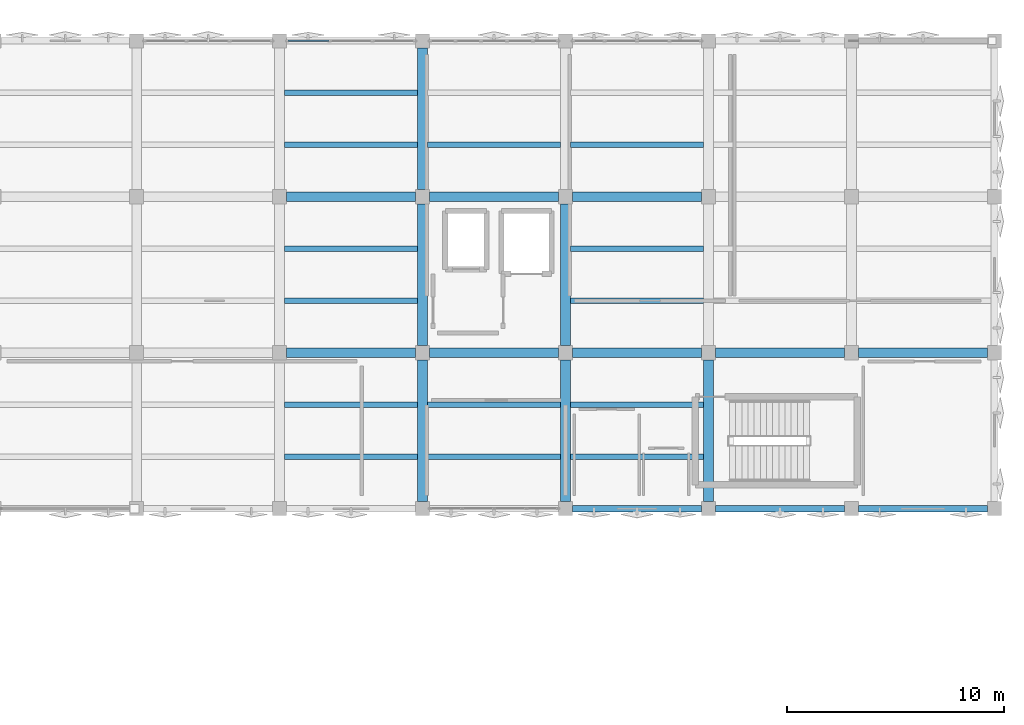
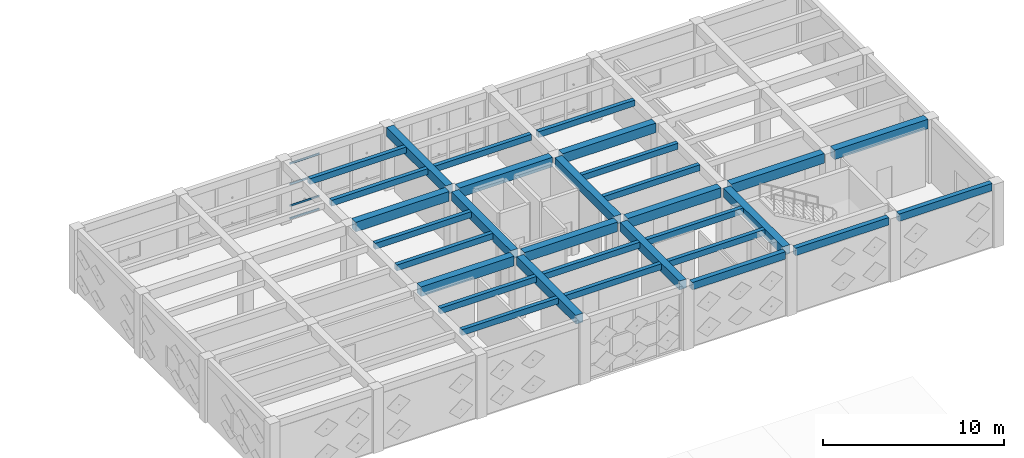
# One storey, part 21 of 48: 31 beams, 4 members, 1 element without a shape of its own.
"""IFC4 building model written with IfcOpenShell, lengths in metres."""

import ifcopenshell
import ifcopenshell.guid

model = None  # the IFC model being written
_history = None  # IfcOwnerHistory: only IFC2X3 demands one
_inside = {}  # id of a spatial element -> (the spatial element, [elements in it])
_under = {}  # id of a project, library or spatial element -> (it, [spatial elements below it])
_declared = {}  # id of a project -> (the project, [libraries it declares])
_typed = {}  # id of a type object -> (the type object, [elements of that type])
_made_of = {}  # id of a material, layer set ... -> (it, [elements and type objects made of it])


def new_model(schema):
    """Start an empty IFC model of exactly this schema.

    Asked for "IFC4X3", IfcOpenShell would pick the latest addendum, in which some entities
    have other attributes; the version numbers below select the first issue.
    IFC2X3 requires an IfcOwnerHistory on every rooted entity: one is made here for all.
    """
    global model, _history
    if schema == "IFC4X3":
        model = ifcopenshell.file(schema_version=(4, 3, 0, 0))
    else:
        model = ifcopenshell.file(schema=schema)
    _inside.clear()
    _under.clear()
    _declared.clear()
    _typed.clear()
    _made_of.clear()
    _history = None
    if model.schema == "IFC2X3":
        org = make("IfcOrganization", Name="unknown")
        user = make(
            "IfcPersonAndOrganization",
            ThePerson=make("IfcPerson", FamilyName="unknown"),
            TheOrganization=org,
        )
        app = make(
            "IfcApplication",
            ApplicationDeveloper=org,
            Version="unknown",
            ApplicationFullName="unknown",
            ApplicationIdentifier="unknown",
        )
        _history = make(
            "IfcOwnerHistory",
            OwningUser=user,
            OwningApplication=app,
            ChangeAction="ADDED",
            CreationDate=0,
        )
    return model


def make(cls, **values):
    """One entity of the class cls with the attributes given. An attribute that is None is left unset."""
    return model.create_entity(
        cls, **{name: value for name, value in values.items() if value is not None}
    )


def rooted(cls, **values):
    """An entity with a GlobalId (a new one), such as an element, a storey or a relation."""
    return make(cls, GlobalId=ifcopenshell.guid.new(), OwnerHistory=_history, **values)


def si_unit(unit_type, name, prefix=None):
    """IfcSIUnit, for example si_unit("LENGTHUNIT", "METRE", prefix="MILLI")."""
    return make("IfcSIUnit", UnitType=unit_type, Prefix=prefix, Name=name)


def assignment(units):
    """IfcUnitAssignment: the units of a project."""
    return None if units is None else make("IfcUnitAssignment", Units=units)


def point(xyz):
    """IfcCartesianPoint."""
    return None if xyz is None else make("IfcCartesianPoint", Coordinates=xyz)


def direction(xyz):
    """IfcDirection."""
    return None if xyz is None else make("IfcDirection", DirectionRatios=xyz)


def frame(location, z_axis=None, x_axis=None):
    """IfcAxis2Placement3D, a coordinate frame: its origin and axes. An axis left out is left unset."""
    return make(
        "IfcAxis2Placement3D",
        Location=point(location),
        Axis=direction(z_axis),
        RefDirection=direction(x_axis),
    )


def frame_2d(location, x_axis=None):
    """IfcAxis2Placement2D, a coordinate frame in the plane: its origin and x axis."""
    return make(
        "IfcAxis2Placement2D", Location=point(location), RefDirection=direction(x_axis)
    )


def origin():
    """The frame at (0, 0, 0) with its axes left unset."""
    return frame((0.0, 0.0, 0.0))


def origin_2d():
    """The frame at (0, 0) in the plane with its x axis left unset."""
    return frame_2d((0.0, 0.0))


def place(relative_to, where):
    """IfcLocalPlacement: puts the frame where relative to a parent placement (None: the world)."""
    return make(
        "IfcLocalPlacement", PlacementRelTo=relative_to, RelativePlacement=where
    )


def context(
    kind, dimensions, precision=None, world=None, true_north=None, identifier=None
):
    """IfcGeometricRepresentationContext, for example the 3D "Model" context."""
    return make(
        "IfcGeometricRepresentationContext",
        ContextIdentifier=identifier,
        ContextType=kind,
        CoordinateSpaceDimension=dimensions,
        Precision=precision,
        WorldCoordinateSystem=world,
        TrueNorth=true_north,
    )


def subcontext(parent, identifier, kind, view, scale=None):
    """IfcGeometricRepresentationSubContext, for example "Body" below "Model"."""
    return make(
        "IfcGeometricRepresentationSubContext",
        ContextIdentifier=identifier,
        ContextType=kind,
        ParentContext=parent,
        TargetScale=scale,
        TargetView=view,
    )


def project(units=None, contexts=None):
    """IfcProject with its units and contexts."""
    return rooted(
        "IfcProject",
        Name="project",
        RepresentationContexts=contexts,
        UnitsInContext=assignment(units),
    )


def spatial(cls, under=None, at=None, **own):
    """A site, building, storey or space (cls), placed at a placement, below another one or the project."""
    s = rooted(cls, ObjectPlacement=at, **own)
    if under is not None:
        _under.setdefault(under.id(), (under, []))[1].append(s)
    return s


def profile(cls, at=None, kind="AREA", **sizes):
    """A parametric profile (cls). Its sizes go by their IFC names, for example OverallWidth=200.0."""
    return make(cls, ProfileType=kind, Position=at, **sizes)


def rectangle(**sizes):
    """IfcRectangleProfileDef."""
    return profile("IfcRectangleProfileDef", **sizes)


def hollow_rectangle(**sizes):
    """IfcRectangleHollowProfileDef."""
    return profile("IfcRectangleHollowProfileDef", **sizes)


def extrude(swept, where, along, depth):
    """IfcExtrudedAreaSolid: the profile swept, set in the frame where, extruded along a direction by depth."""
    return make(
        "IfcExtrudedAreaSolid",
        SweptArea=swept,
        Position=where,
        ExtrudedDirection=direction(along),
        Depth=depth,
    )


def shape(context_of_items, identifier, shape_type, items):
    """IfcShapeRepresentation: the items that make up one representation, for example the "Body"."""
    return make(
        "IfcShapeRepresentation",
        ContextOfItems=context_of_items,
        RepresentationIdentifier=identifier,
        RepresentationType=shape_type,
        Items=items,
    )


def material(Name=None, Category=None):
    """IfcMaterial."""
    return make("IfcMaterial", Name=Name, Category=Category)


def layer(
    of_material, thickness, ventilated=None, Name=None, Category=None, Priority=None
):
    """IfcMaterialLayer: one layer of a wall or slab, of a material (None: an air gap)."""
    return make(
        "IfcMaterialLayer",
        Material=of_material,
        LayerThickness=thickness,
        IsVentilated=ventilated,
        Name=Name,
        Category=Category,
        Priority=Priority,
    )


def layer_set(layers, Name=None):
    """IfcMaterialLayerSet."""
    return make("IfcMaterialLayerSet", MaterialLayers=layers, LayerSetName=Name)


def material_profile(
    of_material, cross_section, Name=None, Category=None, Priority=None
):
    """IfcMaterialProfile: a cross section and its material."""
    return make(
        "IfcMaterialProfile",
        Name=Name,
        Material=of_material,
        Profile=cross_section,
        Priority=Priority,
        Category=Category,
    )


def profile_set(profiles, Name=None, composite=None):
    """IfcMaterialProfileSet."""
    return make(
        "IfcMaterialProfileSet",
        Name=Name,
        MaterialProfiles=profiles,
        CompositeProfile=composite,
    )


def made_of(thing, what):
    """Note that an element or type object is made of a material, layer set ...; save() writes the relation."""
    if what is not None:
        _made_of.setdefault(what.id(), (what, []))[1].append(thing)
    return thing


def type_object(cls, material=None, **own):
    """A type object (cls), such as IfcWallType, which elements share."""
    return made_of(rooted(cls, **own), material)


def element(
    cls,
    number,
    at=None,
    inside=None,
    cuts=None,
    type_object=None,
    material=None,
    context=None,
    identifier="Body",
    shape_type=None,
    held_by="IfcProductDefinitionShape",
    body=None,
    shapes=None,
    **own,
):
    """One element of the class cls, such as IfcWall. Its Tag is "e" and its number.

    at: its placement. inside: the storey or other place that contains it. cuts: it is an
    opening in that element (IfcRelVoidsElement). A single representation is given by context,
    identifier, shape_type and body (its items); several are given by shapes. held_by: the class
    of the entity that holds the representations. save() writes the other relations.
    """
    e = rooted(cls, Tag="e%d" % number, ObjectPlacement=at, **own)
    if body is not None:
        shapes = [shape(context, identifier, shape_type, body)]
    if shapes is not None:
        e.Representation = make(held_by, Representations=shapes)
    if inside is not None:
        _inside.setdefault(inside.id(), (inside, []))[1].append(e)
    if cuts is not None:
        rooted(
            "IfcRelVoidsElement", RelatingBuildingElement=cuts, RelatedOpeningElement=e
        )
    if type_object is not None:
        _typed.setdefault(type_object.id(), (type_object, []))[1].append(e)
    return made_of(e, material)


def aggregate(whole, parts):
    """IfcRelAggregates: a whole, such as a stair, and the parts it consists of."""
    return rooted("IfcRelAggregates", RelatingObject=whole, RelatedObjects=parts)


def save(model, path):
    """Write the relations noted so far, then the file.

    IfcRelAggregates (storeys below a building ...), IfcRelContainedInSpatialStructure (elements
    in a storey), IfcRelDefinesByType, IfcRelAssociatesMaterial and IfcRelDeclares: one each for
    every whole, place, type object, material and project.
    """
    for whole, parts in _under.values():
        aggregate(whole, parts)
    for where, things in _inside.values():
        rooted(
            "IfcRelContainedInSpatialStructure",
            RelatedElements=things,
            RelatingStructure=where,
        )
    for kind, things in _typed.values():
        rooted("IfcRelDefinesByType", RelatedObjects=things, RelatingType=kind)
    for what, things in _made_of.values():
        rooted("IfcRelAssociatesMaterial", RelatedObjects=things, RelatingMaterial=what)
    for by, libraries in _declared.values():
        rooted("IfcRelDeclares", RelatingContext=by, RelatedDefinitions=libraries)
    model.write(path)


model = new_model("IFC4")

# Units and contexts
model_context = context("Model", 3, precision=1e-05, world=origin(), true_north=direction((0.0, 1.0)))
body_context = subcontext(model_context, "Body", "Model", "MODEL_VIEW")
ifc_project = project(units=[si_unit("LENGTHUNIT", "METRE"), si_unit("AREAUNIT", "SQUARE_METRE"), si_unit("VOLUMEUNIT", "CUBIC_METRE"), si_unit("PLANEANGLEUNIT", "RADIAN"), si_unit("MASSUNIT", "GRAM", prefix="KILO")], contexts=[model_context])

# Site, building, storey
site_placement = place(None, origin())
site = spatial("IfcSite", under=ifc_project, at=site_placement, CompositionType="ELEMENT")
building_placement = place(site_placement, origin())
building = spatial("IfcBuilding", under=site, at=building_placement, Name="Kharisveld Research Institute", CompositionType="ELEMENT")
storey_placement = place(building_placement, frame((0.0, 0.0, 14.10009765625)))
storey = spatial("IfcBuildingStorey", under=building, at=storey_placement, Name="L03", CompositionType="ELEMENT", Elevation=14.10009765625)

# Beams
ifc_material_1 = material(Name="Concrete C40/50", Category="concrete")
ifc_material_profile_1 = material_profile(ifc_material_1, rectangle(XDim=0.449951171875, YDim=0.60009765625, at=origin_2d()))
ifc_profile_set_1 = profile_set([ifc_material_profile_1], Name="Concrete C40/50")
beam_type_1 = type_object("IfcBeamType", Name="BM_RC_450x600", PredefinedType="BEAM", material=ifc_profile_set_1)
beam_1_placement = place(storey_placement, frame((134.39990234375, 39.52490234375, 3.989990234375), z_axis=(0.0, 1.0, 0.0), x_axis=(-1.0, 0.0, 0.0)))
element("IfcBeam", 1, at=beam_1_placement, inside=storey, type_object=beam_type_1, Name="BM:V2:L03:V3_0", PredefinedType="BEAM", context=body_context, shape_type="SweptSolid", body=[
    extrude(rectangle(XDim=0.449951171875, YDim=0.60009765625, at=origin_2d()), origin(), (0.0, 0.0, 1.0), 6.550048828125),
])
beam_2_placement = place(storey_placement, frame((134.39990234375, 46.72509765625, 3.989990234375), z_axis=(0.0, 1.0, 0.0), x_axis=(-1.0, 0.0, 0.0)))
element("IfcBeam", 2, at=beam_2_placement, inside=storey, type_object=beam_type_1, Name="BM:V2:L03:V3_1", PredefinedType="BEAM", context=body_context, shape_type="SweptSolid", body=[
    extrude(rectangle(XDim=0.449951171875, YDim=0.60009765625, at=origin_2d()), origin(), (0.0, 0.0, 1.0), 6.5498046875),
])
for number, where, z_axis, x_axis, name in (
    (3, (134.39990234375, 53.925048828125, 3.989990234375), (0.0, 1.0, 0.0), (-1.0, 0.0, 0.0), "BM:V2:L03:V3_2"),
    (4, (141.0, 39.52490234375, 3.989990234375), (0.0, 1.0, 0.0), (-1.0, 0.0, 0.0), "BM:V2:L03:V4_0"),
):
    element("IfcBeam", number, at=place(storey_placement, frame(where, z_axis=z_axis, x_axis=x_axis)), inside=storey, type_object=beam_type_1, Name=name, PredefinedType="BEAM", context=body_context, shape_type="SweptSolid", body=[
        extrude(rectangle(XDim=0.449951171875, YDim=0.60009765625, at=origin_2d()), origin(), (0.0, 0.0, 1.0), 6.550048828125),
    ])
beam_3_placement = place(storey_placement, frame((141.0, 46.72509765625, 3.989990234375), z_axis=(0.0, 1.0, 0.0), x_axis=(-1.0, 0.0, 0.0)))
element("IfcBeam", 5, at=beam_3_placement, inside=storey, type_object=beam_type_1, Name="BM:V2:L03:V4_1", PredefinedType="BEAM", context=body_context, shape_type="SweptSolid", body=[
    extrude(rectangle(XDim=0.449951171875, YDim=0.60009765625, at=origin_2d()), origin(), (0.0, 0.0, 1.0), 6.5498046875),
])
beam_4_placement = place(storey_placement, frame((147.60009765625, 39.52490234375, 3.989990234375), z_axis=(0.0, 1.0, 0.0), x_axis=(-1.0, 0.0, 0.0)))
element("IfcBeam", 6, at=beam_4_placement, inside=storey, type_object=beam_type_1, Name="BM:V2:L03:V5_0", PredefinedType="BEAM", context=body_context, shape_type="SweptSolid", body=[
    extrude(rectangle(XDim=0.449951171875, YDim=0.60009765625, at=origin_2d()), origin(), (0.0, 0.0, 1.0), 6.550048828125),
])
ifc_material_2 = material(Name="Concrete C40/50", Category="concrete")
ifc_material_profile_2 = material_profile(ifc_material_2, rectangle(XDim=0.449951171875, YDim=0.64990234375, at=origin_2d()))
ifc_profile_set_2 = profile_set([ifc_material_profile_2], Name="Concrete C40/50")
beam_type_2 = type_object("IfcBeamType", Name="BM_RC_450x650", PredefinedType="BEAM", material=ifc_profile_set_2)
for number, where, z_axis, x_axis, name in (
    (7, (128.125, 46.39990234375, 3.96484375), (1.0, 0.0, 0.0), (0.0, 1.0, 0.0), "BM:V2:L03:U2_1"),
    (8, (134.72509765625, 46.39990234375, 3.96484375), (1.0, 0.0, 0.0), (0.0, 1.0, 0.0), "BM:V2:L03:U3_1"),
    (9, (141.324951171875, 46.39990234375, 3.96484375), (1.0, 0.0, 0.0), (0.0, 1.0, 0.0), "BM:V2:L03:U4_1"),
    (10, (147.925048828125, 46.39990234375, 3.96484375), (1.0, 0.0, 0.0), (0.0, 1.0, 0.0), "BM:V2:L03:U5_1"),
):
    element("IfcBeam", number, at=place(storey_placement, frame(where, z_axis=z_axis, x_axis=x_axis)), inside=storey, type_object=beam_type_2, Name=name, PredefinedType="BEAM", context=body_context, shape_type="SweptSolid", body=[
        extrude(rectangle(XDim=0.449951171875, YDim=0.64990234375, at=origin_2d()), origin(), (0.0, 0.0, 1.0), 5.949951171875),
    ])
beam_5_placement = place(storey_placement, frame((154.52490234375, 46.39990234375, 3.96484375), z_axis=(1.0, 0.0, 0.0), x_axis=(0.0, 1.0, 0.0)))
element("IfcBeam", 11, at=beam_5_placement, inside=storey, type_object=beam_type_2, Name="BM:V2:L03:U6_1", PredefinedType="BEAM", context=body_context, shape_type="SweptSolid", body=[
    extrude(rectangle(XDim=0.449951171875, YDim=0.64990234375, at=origin_2d()), origin(), (0.0, 0.0, 1.0), 5.9501953125),
])
for number, where, z_axis, x_axis, name in (
    (12, (128.125, 53.60009765625, 3.96484375), (1.0, 0.0, 0.0), (0.0, 1.0, 0.0), "BM:V2:L03:U2_2"),
    (13, (134.72509765625, 53.60009765625, 3.96484375), (1.0, 0.0, 0.0), (0.0, 1.0, 0.0), "BM:V2:L03:U3_2"),
    (14, (141.324951171875, 53.60009765625, 3.96484375), (1.0, 0.0, 0.0), (0.0, 1.0, 0.0), "BM:V2:L03:U4_2"),
):
    element("IfcBeam", number, at=place(storey_placement, frame(where, z_axis=z_axis, x_axis=x_axis)), inside=storey, type_object=beam_type_2, Name=name, PredefinedType="BEAM", context=body_context, shape_type="SweptSolid", body=[
        extrude(rectangle(XDim=0.449951171875, YDim=0.64990234375, at=origin_2d()), origin(), (0.0, 0.0, 1.0), 5.949951171875),
    ])

# Curtain wall, members
ifc_material_3 = material(Name="Thermally Broken Aluminium Curtain Wall", Category="aluminium")
ifc_layer = layer(ifc_material_3, 0.159912109375)
ifc_layer_set = layer_set([ifc_layer], Name="CW_SYS_06")
curtain_wall_type = type_object("IfcCurtainWallType", Name="CW_SYS_06", PredefinedType="NOTDEFINED", material=ifc_layer_set)
curtain_wall_placement = place(storey_placement, origin())
curtain_wall = element("IfcCurtainWall", 15, at=curtain_wall_placement, inside=storey, type_object=curtain_wall_type, Name="CW:V2:L03:N2", PredefinedType="NOTDEFINED")
ifc_material_4 = material(Name="Anodised Aluminium AW-6063-T6", Category="aluminium")
ifc_material_profile_3 = material_profile(ifc_material_4, hollow_rectangle(XDim=0.06005859375, YDim=0.1201171875, WallThickness=0.00390625, at=origin_2d()))
ifc_profile_set_3 = profile_set([ifc_material_profile_3], Name="Anodised Aluminium AW-6063-T6")
member_type = type_object("IfcMemberType", Name="CW_TRN_120", PredefinedType="USERDEFINED", material=ifc_profile_set_3)
member_1_placement = place(storey_placement, frame((128.18505859375, 60.800048828125, 0.02978515625), z_axis=(1.0, 0.0, 0.0), x_axis=(0.0, 1.0, 0.0)))
member_1 = element("IfcMember", 16, at=member_1_placement, type_object=member_type, Name="CW-06 transom 1.1", ObjectType="TRANSOM", PredefinedType="USERDEFINED", context=body_context, shape_type="SweptSolid", body=[
    extrude(hollow_rectangle(XDim=0.06005859375, YDim=0.1201171875, WallThickness=0.00390625, at=origin_2d()), origin(), (0.0, 0.0, 1.0), 1.88916015625),
])
member_2_placement = place(storey_placement, frame((128.18505859375, 60.800048828125, 0.89990234375), z_axis=(1.0, 0.0, 0.0), x_axis=(0.0, 1.0, 0.0)))
member_2 = element("IfcMember", 17, at=member_2_placement, type_object=member_type, Name="CW-06 transom 1.2", ObjectType="TRANSOM", PredefinedType="USERDEFINED", context=body_context, shape_type="SweptSolid", body=[
    extrude(hollow_rectangle(XDim=0.06005859375, YDim=0.1201171875, WallThickness=0.00390625, at=origin_2d()), origin(), (0.0, 0.0, 1.0), 1.88916015625),
])
member_3_placement = place(storey_placement, frame((128.18505859375, 60.800048828125, 2.349853515625), z_axis=(1.0, 0.0, 0.0), x_axis=(0.0, 1.0, 0.0)))
member_3 = element("IfcMember", 18, at=member_3_placement, type_object=member_type, Name="CW-06 transom 1.3", ObjectType="TRANSOM", PredefinedType="USERDEFINED", context=body_context, shape_type="SweptSolid", body=[
    extrude(hollow_rectangle(XDim=0.06005859375, YDim=0.1201171875, WallThickness=0.00390625, at=origin_2d()), origin(), (0.0, 0.0, 1.0), 1.88916015625),
])
member_4_placement = place(storey_placement, frame((128.18505859375, 60.800048828125, 3.75), z_axis=(1.0, 0.0, 0.0), x_axis=(0.0, 1.0, 0.0)))
member_4 = element("IfcMember", 19, at=member_4_placement, type_object=member_type, Name="CW-06 transom 1.4", ObjectType="TRANSOM", PredefinedType="USERDEFINED", context=body_context, shape_type="SweptSolid", body=[
    extrude(hollow_rectangle(XDim=0.06005859375, YDim=0.1201171875, WallThickness=0.00390625, at=origin_2d()), origin(), (0.0, 0.0, 1.0), 1.88916015625),
])
aggregate(curtain_wall, [member_1, member_2, member_3, member_4])

# Beams
ifc_material_5 = material(Name="Concrete C40/50", Category="concrete")
ifc_material_profile_4 = material_profile(ifc_material_5, rectangle(XDim=0.300048828125, YDim=0.5, at=origin_2d()))
ifc_profile_set_4 = profile_set([ifc_material_profile_4], Name="Concrete C40/50")
beam_type_3 = type_object("IfcBeamType", Name="SP_RC_300x500", PredefinedType="SPANDREL", material=ifc_profile_set_4)
for number, where, z_axis, x_axis, name in (
    (20, (141.324951171875, 39.199951171875, 4.039794921875), (1.0, 0.0, 0.0), (0.0, 1.0, 0.0), "BM:V2:L03:U4_0"),
    (21, (147.925048828125, 39.199951171875, 4.039794921875), (1.0, 0.0, 0.0), (0.0, 1.0, 0.0), "BM:V2:L03:U5_0"),
):
    element("IfcBeam", number, at=place(storey_placement, frame(where, z_axis=z_axis, x_axis=x_axis)), inside=storey, type_object=beam_type_3, Name=name, PredefinedType="SPANDREL", context=body_context, shape_type="SweptSolid", body=[
        extrude(rectangle(XDim=0.300048828125, YDim=0.5, at=origin_2d()), origin(), (0.0, 0.0, 1.0), 5.949951171875),
    ])
beam_6_placement = place(storey_placement, frame((154.52490234375, 39.199951171875, 4.039794921875), z_axis=(1.0, 0.0, 0.0), x_axis=(0.0, 1.0, 0.0)))
element("IfcBeam", 22, at=beam_6_placement, inside=storey, type_object=beam_type_3, Name="BM:V2:L03:U6_0", PredefinedType="SPANDREL", context=body_context, shape_type="SweptSolid", body=[
    extrude(rectangle(XDim=0.300048828125, YDim=0.5, at=origin_2d()), origin(), (0.0, 0.0, 1.0), 5.9501953125),
])
ifc_material_6 = material(Name="Concrete C40/50", Category="concrete")
ifc_material_profile_5 = material_profile(ifc_material_6, rectangle(XDim=0.25, YDim=0.39990234375, at=origin_2d()))
ifc_profile_set_5 = profile_set([ifc_material_profile_5], Name="Concrete C40/50")
beam_type_4 = type_object("IfcBeamType", Name="WB_RC_250x400", PredefinedType="JOIST", material=ifc_profile_set_5)
for number, where, z_axis, x_axis, name in (
    (23, (128.02490234375, 41.60009765625, 4.08984375), (1.0, 0.0, 0.0), (0.0, 1.0, 0.0), "BM:V2:L03:J_2_0_R1"),
    (24, (128.02490234375, 44.0, 4.08984375), (1.0, 0.0, 0.0), (0.0, 1.0, 0.0), "BM:V2:L03:J_2_0_R2"),
    (25, (128.02490234375, 48.800048828125, 4.08984375), (1.0, 0.0, 0.0), (0.0, 1.0, 0.0), "BM:V2:L03:J_2_1_R1"),
    (26, (128.02490234375, 51.199951171875, 4.08984375), (1.0, 0.0, 0.0), (0.0, 1.0, 0.0), "BM:V2:L03:J_2_1_R2"),
    (27, (128.02490234375, 56.0, 4.08984375), (1.0, 0.0, 0.0), (0.0, 1.0, 0.0), "BM:V2:L03:J_2_2_R1"),
    (28, (128.02490234375, 58.39990234375, 4.08984375), (1.0, 0.0, 0.0), (0.0, 1.0, 0.0), "BM:V2:L03:J_2_2_R2"),
):
    element("IfcBeam", number, at=place(storey_placement, frame(where, z_axis=z_axis, x_axis=x_axis)), inside=storey, type_object=beam_type_4, Name=name, PredefinedType="JOIST", context=body_context, shape_type="SweptSolid", body=[
        extrude(rectangle(XDim=0.25, YDim=0.39990234375, at=origin_2d()), origin(), (0.0, 0.0, 1.0), 6.150146484375),
    ])
for number, where, z_axis, x_axis, name in (
    (29, (134.625, 41.60009765625, 4.08984375), (1.0, 0.0, 0.0), (0.0, 1.0, 0.0), "BM:V2:L03:J_3_0_R1"),
    (30, (134.625, 44.0, 4.08984375), (1.0, 0.0, 0.0), (0.0, 1.0, 0.0), "BM:V2:L03:J_3_0_R2"),
    (31, (134.625, 56.0, 4.08984375), (1.0, 0.0, 0.0), (0.0, 1.0, 0.0), "BM:V2:L03:J_3_2_R1"),
    (32, (141.22509765625, 41.60009765625, 4.08984375), (1.0, 0.0, 0.0), (0.0, 1.0, 0.0), "BM:V2:L03:J_4_0_R1"),
    (33, (141.22509765625, 44.0, 4.08984375), (1.0, 0.0, 0.0), (0.0, 1.0, 0.0), "BM:V2:L03:J_4_0_R2"),
    (34, (141.22509765625, 48.800048828125, 4.08984375), (1.0, 0.0, 0.0), (0.0, 1.0, 0.0), "BM:V2:L03:J_4_1_R1"),
    (35, (141.22509765625, 51.199951171875, 4.08984375), (1.0, 0.0, 0.0), (0.0, 1.0, 0.0), "BM:V2:L03:J_4_1_R2"),
    (36, (141.22509765625, 56.0, 4.08984375), (1.0, 0.0, 0.0), (0.0, 1.0, 0.0), "BM:V2:L03:J_4_2_R1"),
):
    element("IfcBeam", number, at=place(storey_placement, frame(where, z_axis=z_axis, x_axis=x_axis)), inside=storey, type_object=beam_type_4, Name=name, PredefinedType="JOIST", context=body_context, shape_type="SweptSolid", body=[
        extrude(rectangle(XDim=0.25, YDim=0.39990234375, at=origin_2d()), origin(), (0.0, 0.0, 1.0), 6.14990234375),
    ])

save(model, "model.ifc")
